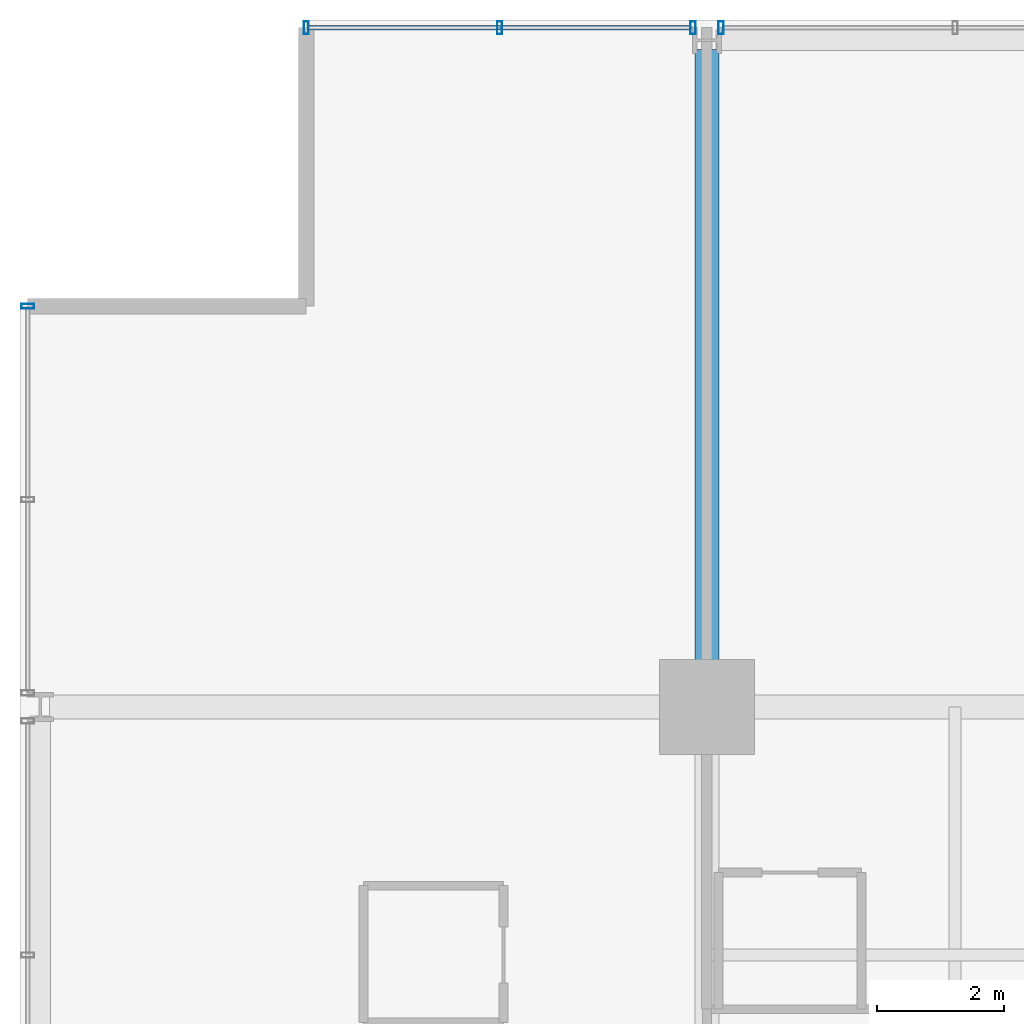
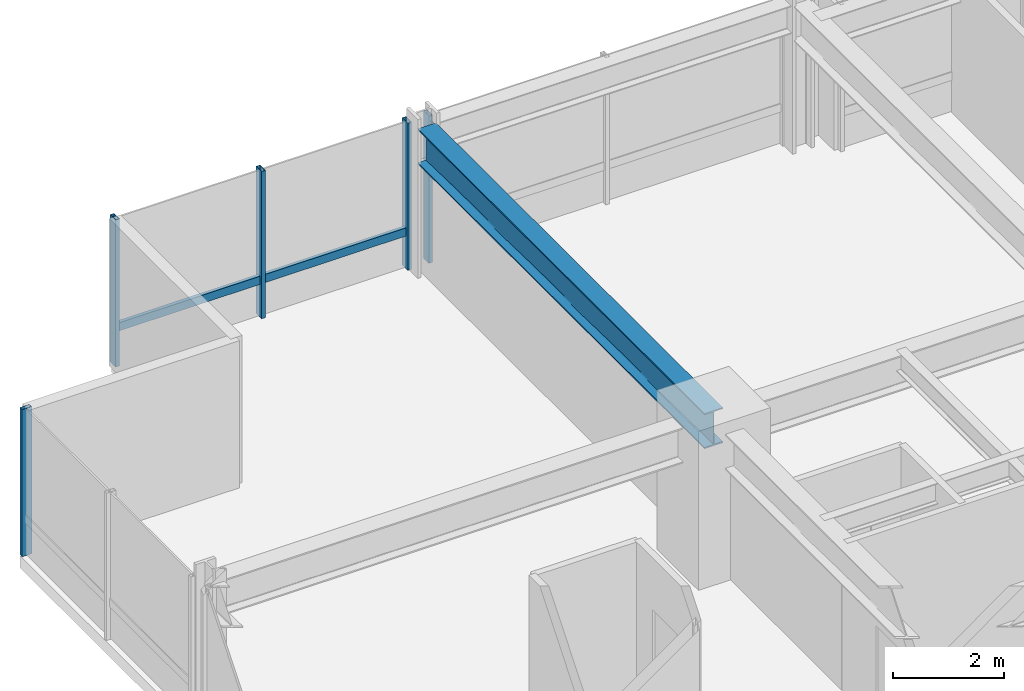
# One storey, part 20 of 34: 6 members, 1 beam, 3 elements without a shape of their own.
"""IFC4 building model written with IfcOpenShell, lengths in metres."""

from ifc_helpers import new_model, si_unit, direction, frame, origin, origin_2d, place, context, subcontext, project, spatial, hollow_rectangle, i_section, extrude, material, layer, layer_set, material_profile, profile_set, type_object, element, aggregate, save


model = new_model("IFC4")

# Units and contexts
model_context = context("Model", 3, precision=1e-05, world=origin(), true_north=direction((0.0, 1.0)))
body_context = subcontext(model_context, "Body", "Model", "MODEL_VIEW")
ifc_project = project(units=[si_unit("LENGTHUNIT", "METRE"), si_unit("AREAUNIT", "SQUARE_METRE"), si_unit("VOLUMEUNIT", "CUBIC_METRE"), si_unit("PLANEANGLEUNIT", "RADIAN"), si_unit("MASSUNIT", "GRAM", prefix="KILO")], contexts=[model_context])

# Site, building, storey
site_placement = place(None, origin())
site = spatial("IfcSite", under=ifc_project, at=site_placement, CompositionType="ELEMENT")
building_placement = place(site_placement, origin())
building = spatial("IfcBuilding", under=site, at=building_placement, Name="Drelvath Grand Hotel", CompositionType="ELEMENT")
storey_placement = place(building_placement, frame((0.0, 0.0, 116.300048828125)))
storey = spatial("IfcBuildingStorey", under=building, at=storey_placement, Name="L29", CompositionType="ELEMENT", Elevation=116.300048828125)

# Curtain wall, member
ifc_material_1 = material(Name="Champagne Bronze Anodised Aluminium Frame", Category="aluminium")
ifc_layer = layer(ifc_material_1, 0.199951171875)
ifc_layer_set = layer_set([ifc_layer], Name="Champagne Bronze Anodised Aluminium Frame")
curtain_wall_type = type_object("IfcCurtainWallType", Name="Stick Curtain Wall CW-03 Champagne Bronze Mid-Rise", PredefinedType="NOTDEFINED", material=ifc_layer_set)
curtain_wall_1_placement = place(storey_placement, origin())
curtain_wall_1 = element("IfcCurtainWall", 1, at=curtain_wall_1_placement, inside=storey, type_object=curtain_wall_type, Name="L29 CW-03 Curtain Wall CW03-L29-NW1", PredefinedType="NOTDEFINED")
ifc_material_profile_1 = material_profile(ifc_material_1, hollow_rectangle(XDim=0.074951171875, YDim=0.179931640625, WallThickness=0.0048828125, at=origin_2d()), Name="HSS180X75X5")
ifc_profile_set_1 = profile_set([ifc_material_profile_1], Name="Champagne Bronze Anodised Aluminium Frame")
member_type_1 = type_object("IfcMemberType", Name="Curtain Wall Horizontal Transom CW-03 HSS180X75X5", PredefinedType="USERDEFINED", material=ifc_profile_set_1)
member_1_placement = place(storey_placement, frame((-22.4599609375, 53.8798828125, 0.81005859375), z_axis=(1.0, 0.0, 0.0), x_axis=(0.0, 1.0, 0.0)))
member_1 = element("IfcMember", 2, at=member_1_placement, type_object=member_type_1, Name="CW03-L29-NW1 Sill Transom", ObjectType="TRANSOM", PredefinedType="USERDEFINED", context=body_context, shape_type="SweptSolid", body=[
    extrude(hollow_rectangle(XDim=0.074951171875, YDim=0.179931640625, WallThickness=0.0048828125, at=origin_2d()), origin(), (0.0, 0.0, 1.0), 6.000244140625),
])

curtain_wall_2_placement = place(storey_placement, origin())
curtain_wall_2 = element("IfcCurtainWall", 3, at=curtain_wall_2_placement, inside=storey, type_object=curtain_wall_type, Name="L29 CW-03 Curtain Wall CW03-L29-WN3", PredefinedType="NOTDEFINED")
ifc_material_profile_2 = material_profile(ifc_material_1, hollow_rectangle(XDim=0.080078125, YDim=0.199951171875, WallThickness=0.0048828125, at=origin_2d()), Name="HSS200X80X5")
ifc_profile_set_2 = profile_set([ifc_material_profile_2], Name="Champagne Bronze Anodised Aluminium Frame")
member_type_2 = type_object("IfcMemberType", Name="Curtain Wall Vertical Mullion CW-03 HSS200X80X5", PredefinedType="MULLION", material=ifc_profile_set_2)
member_2_placement = place(storey_placement, frame((-26.8798828125, 49.5, 0.0), z_axis=(0.0, 0.0, 1.0), x_axis=(0.0, 1.0, 0.0)))
member_2 = element("IfcMember", 4, at=member_2_placement, type_object=member_type_2, Name="CW03-L29-WN3 Mullion 3", PredefinedType="MULLION", context=body_context, shape_type="SweptSolid", body=[
    extrude(hollow_rectangle(XDim=0.080078125, YDim=0.199951171875, WallThickness=0.0048828125, at=origin_2d()), origin(), (0.0, 0.0, 1.0), 3.239990234375),
])
aggregate(curtain_wall_2, [member_2])

# Member
member_3_placement = place(storey_placement, frame((-22.5, 53.8798828125, 0.0), z_axis=(0.0, 0.0, 1.0), x_axis=(1.0, 0.0, 0.0)))
member_3 = element("IfcMember", 5, at=member_3_placement, type_object=member_type_2, Name="CW03-L29-NW1 Mullion 1", PredefinedType="MULLION", context=body_context, shape_type="SweptSolid", body=[
    extrude(hollow_rectangle(XDim=0.080078125, YDim=0.199951171875, WallThickness=0.0048828125, at=origin_2d()), origin(), (0.0, 0.0, 1.0), 3.239990234375),
])

member_4_placement = place(storey_placement, frame((-19.459716796875, 53.8798828125, 0.0), z_axis=(0.0, 0.0, 1.0), x_axis=(1.0, 0.0, 0.0)))
member_4 = element("IfcMember", 6, at=member_4_placement, type_object=member_type_2, Name="CW03-L29-NW1 Mullion 2", PredefinedType="MULLION", context=body_context, shape_type="SweptSolid", body=[
    extrude(hollow_rectangle(XDim=0.080078125, YDim=0.199951171875, WallThickness=0.0048828125, at=origin_2d()), origin(), (0.0, 0.0, 1.0), 3.239990234375),
])

member_5_placement = place(storey_placement, frame((-16.419677734375, 53.8798828125, 0.0), z_axis=(0.0, 0.0, 1.0), x_axis=(1.0, 0.0, 0.0)))
member_5 = element("IfcMember", 7, at=member_5_placement, type_object=member_type_2, Name="CW03-L29-NW1 Mullion 3", PredefinedType="MULLION", context=body_context, shape_type="SweptSolid", body=[
    extrude(hollow_rectangle(XDim=0.080078125, YDim=0.199951171875, WallThickness=0.0048828125, at=origin_2d()), origin(), (0.0, 0.0, 1.0), 3.239990234375),
])

aggregate(curtain_wall_1, [member_3, member_4, member_5, member_1])

# Curtain wall, member
curtain_wall_3_placement = place(storey_placement, origin())
curtain_wall_3 = element("IfcCurtainWall", 8, at=curtain_wall_3_placement, inside=storey, type_object=curtain_wall_type, Name="L29 CW-03 Curtain Wall CW03-L29-NW2", PredefinedType="NOTDEFINED")
member_6_placement = place(storey_placement, frame((-15.98046875, 53.8798828125, 0.0), z_axis=(0.0, 0.0, 1.0), x_axis=(1.0, 0.0, 0.0)))
member_6 = element("IfcMember", 9, at=member_6_placement, type_object=member_type_2, Name="CW03-L29-NW2 Mullion 1", PredefinedType="MULLION", context=body_context, shape_type="SweptSolid", body=[
    extrude(hollow_rectangle(XDim=0.080078125, YDim=0.199951171875, WallThickness=0.0048828125, at=origin_2d()), origin(), (0.0, 0.0, 1.0), 3.239990234375),
])
aggregate(curtain_wall_3, [member_6])

# Beam
ifc_material_2 = material(Name="Steel ASTM A992 Gr 50", Category="steel")
ifc_material_profile_3 = material_profile(ifc_material_2, i_section(OverallWidth=0.380615234375, OverallDepth=0.773193359375, WebThickness=0.0166015625, FlangeThickness=0.027099609375, FilletRadius=0.02490234375, at=origin_2d()), Name="W30X173")
ifc_profile_set_3 = profile_set([ifc_material_profile_3], Name="Steel ASTM A992 Gr 50")
beam_type = type_object("IfcBeamType", Name="Primary Floor Girder W30X173", PredefinedType="BEAM", material=ifc_profile_set_3)
beam_placement = place(storey_placement, frame((-16.199951171875, 43.199951171875, 2.853271484375), z_axis=(0.0, 1.0, 0.0), x_axis=(-1.0, 0.0, 0.0)))
element("IfcBeam", 10, at=beam_placement, inside=storey, type_object=beam_type, Name="L29 North Grid Girder 3", PredefinedType="BEAM", context=body_context, shape_type="SweptSolid", body=[
    extrude(i_section(OverallWidth=0.380615234375, OverallDepth=0.773193359375, WebThickness=0.0166015625, FlangeThickness=0.027099609375, FilletRadius=0.02490234375, at=origin_2d()), origin(), (0.0, 0.0, 1.0), 10.340087890625),
])

save(model, "model.ifc")
